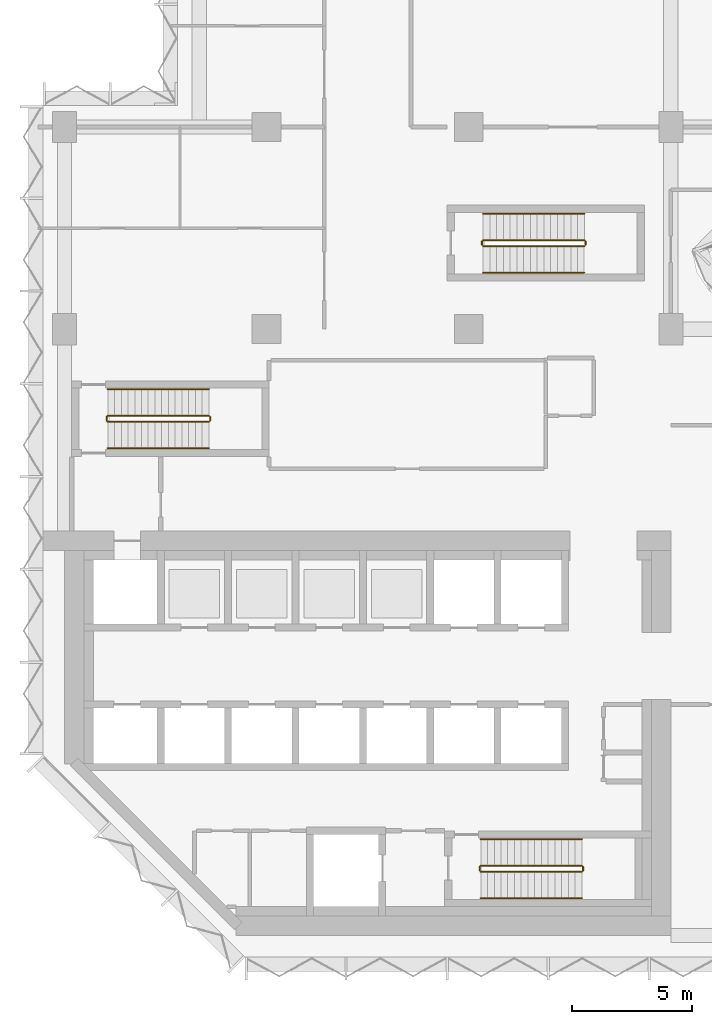
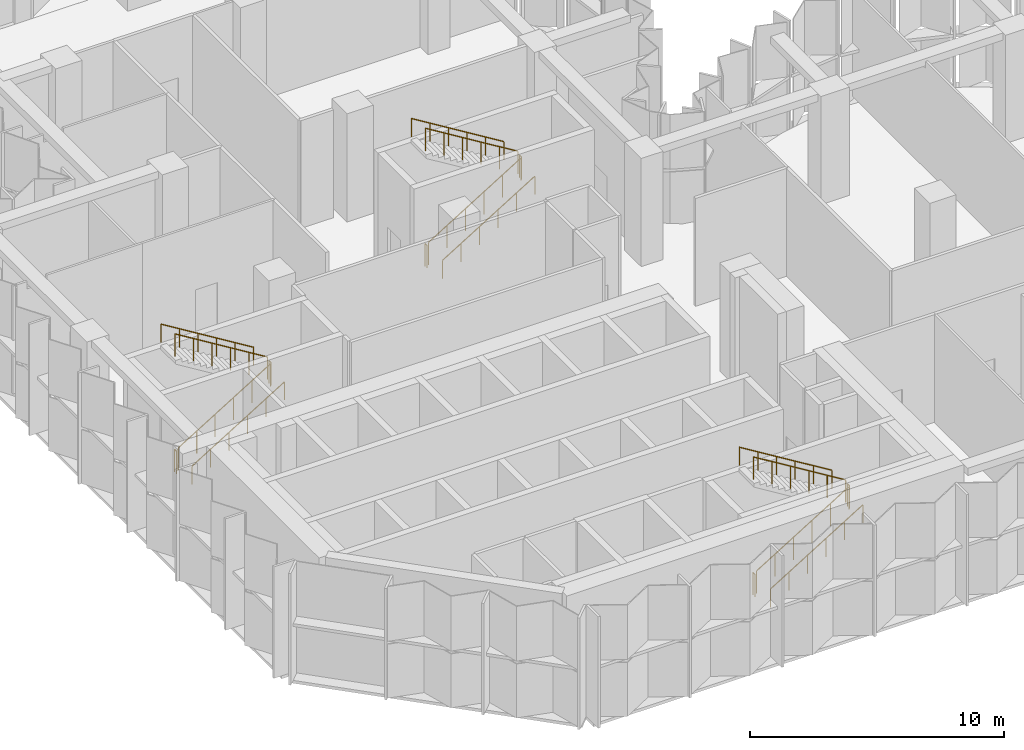
# One storey, part 12 of 15: 18 railings.
"""IFC4 building model written with IfcOpenShell, lengths in metres."""

from ifc_helpers import new_model, si_unit, direction, frame, origin, origin_2d, place, context, subcontext, project, spatial, circle, extrude, material, type_object, element, save


model = new_model("IFC4")

# Units and contexts
model_context = context("Model", 3, precision=1e-05, world=origin(), true_north=direction((0.0, 1.0)))
body_context = subcontext(model_context, "Body", "Model", "MODEL_VIEW")
ifc_project = project(units=[si_unit("LENGTHUNIT", "METRE"), si_unit("AREAUNIT", "SQUARE_METRE"), si_unit("VOLUMEUNIT", "CUBIC_METRE"), si_unit("PLANEANGLEUNIT", "RADIAN"), si_unit("MASSUNIT", "GRAM", prefix="KILO")], contexts=[model_context])

# Site, building, storey
site_placement = place(None, origin())
site = spatial("IfcSite", under=ifc_project, at=site_placement, CompositionType="ELEMENT")
building_placement = place(site_placement, origin())
building = spatial("IfcBuilding", under=site, at=building_placement, Name="Brevane Broadcast Tower", CompositionType="ELEMENT")
storey_placement = place(building_placement, frame((0.0, 0.0, 156.5)))
storey = spatial("IfcBuildingStorey", under=building, at=storey_placement, Name="L39", CompositionType="ELEMENT", Elevation=156.5)

# Railings
ifc_material = material(Name="Steel S355", Category="steel")
railing_type_1 = type_object("IfcRailingType", Name="Exit stair guard", PredefinedType="GUARDRAIL", material=ifc_material)
railing_1_placement = place(storey_placement, frame((1.800048828125, 21.35009765625, 0.171875)))
element("IfcRailing", 1, at=railing_1_placement, inside=storey, type_object=railing_type_1, Name="L39 ST-1 stair guard 1", PredefinedType="GUARDRAIL", context=body_context, shape_type="SweptSolid", body=[
    extrude(circle(Radius=0.02392578125, at=origin_2d()), frame((0.0, 0.0, 1.076171875), z_axis=(0.852242915053, 0.0, 0.523146264196), x_axis=(0.0, 1.0, 0.0)), (0.0, 0.0, 1.0), 4.92822265625),
    extrude(circle(Radius=0.02099609375, at=origin_2d()), origin(), (0.0, 0.0, 1.0), 1.052001953125),
    extrude(circle(Radius=0.02099609375, at=origin_2d()), frame((0.840087890625, 0.0, 0.515625)), (0.0, 0.0, 1.0), 1.052001953125),
    extrude(circle(Radius=0.02099609375, at=origin_2d()), frame((1.679931640625, 0.0, 1.03125)), (0.0, 0.0, 1.0), 1.052001953125),
    extrude(circle(Radius=0.02099609375, at=origin_2d()), frame((2.52001953125, 0.0, 1.546875)), (0.0, 0.0, 1.0), 1.052001953125),
    extrude(circle(Radius=0.02099609375, at=origin_2d()), frame((3.35986328125, 0.0, 2.0625)), (0.0, 0.0, 1.0), 1.052001953125),
    extrude(circle(Radius=0.02099609375, at=origin_2d()), frame((4.199951171875, 0.0, 2.578125)), (0.0, 0.0, 1.0), 1.052001953125),
])
railing_2_placement = place(storey_placement, frame((6.050048828125, 21.39990234375, 2.75)))
element("IfcRailing", 2, at=railing_2_placement, inside=storey, type_object=railing_type_1, Name="L39 ST-1 stair guard 2", PredefinedType="GUARDRAIL", context=body_context, shape_type="SweptSolid", body=[
    extrude(circle(Radius=0.02392578125, at=origin_2d()), frame((0.0, 0.0, 1.076171875), z_axis=(0.0, 1.0, 0.0), x_axis=(-1.0, 0.0, 0.0)), (0.0, 0.0, 1.0), 0.150146484375),
    extrude(circle(Radius=0.02099609375, at=origin_2d()), origin(), (0.0, 0.0, 1.0), 1.052001953125),
    extrude(circle(Radius=0.02099609375, at=origin_2d()), frame((0.0, 0.150146484375, 0.0)), (0.0, 0.0, 1.0), 1.052001953125),
])
railing_3_placement = place(storey_placement, frame((6.0, 21.60009765625, 2.921875)))
element("IfcRailing", 3, at=railing_3_placement, inside=storey, type_object=railing_type_1, Name="L39 ST-1 stair guard 3", PredefinedType="GUARDRAIL", context=body_context, shape_type="SweptSolid", body=[
    extrude(circle(Radius=0.02392578125, at=origin_2d()), frame((0.0, 0.0, 1.076171875), z_axis=(-0.852242915053, 0.0, 0.523146264196), x_axis=(0.0, -1.0, 0.0)), (0.0, 0.0, 1.0), 4.92822265625),
    extrude(circle(Radius=0.02099609375, at=origin_2d()), origin(), (0.0, 0.0, 1.0), 1.052001953125),
    extrude(circle(Radius=0.02099609375, at=origin_2d()), frame((-0.840087890625, 0.0, 0.515625)), (0.0, 0.0, 1.0), 1.052001953125),
    extrude(circle(Radius=0.02099609375, at=origin_2d()), frame((-1.679931640625, 0.0, 1.03125)), (0.0, 0.0, 1.0), 1.052001953125),
    extrude(circle(Radius=0.02099609375, at=origin_2d()), frame((-2.52001953125, 0.0, 1.546875)), (0.0, 0.0, 1.0), 1.052001953125),
    extrude(circle(Radius=0.02099609375, at=origin_2d()), frame((-3.35986328125, 0.0, 2.0625)), (0.0, 0.0, 1.0), 1.052001953125),
    extrude(circle(Radius=0.02099609375, at=origin_2d()), frame((-4.199951171875, 0.0, 2.578125)), (0.0, 0.0, 1.0), 1.052001953125),
])
railing_4_placement = place(storey_placement, frame((1.75, 21.39990234375, 0.0)))
element("IfcRailing", 4, at=railing_4_placement, inside=storey, type_object=railing_type_1, Name="L39 ST-1 stair guard 4", PredefinedType="GUARDRAIL", context=body_context, shape_type="SweptSolid", body=[
    extrude(circle(Radius=0.02392578125, at=origin_2d()), frame((0.0, 0.0, 1.076171875), z_axis=(0.0, 1.0, 0.0), x_axis=(-1.0, 0.0, 0.0)), (0.0, 0.0, 1.0), 0.150146484375),
    extrude(circle(Radius=0.02099609375, at=origin_2d()), origin(), (0.0, 0.0, 1.0), 1.052001953125),
    extrude(circle(Radius=0.02099609375, at=origin_2d()), frame((0.0, 0.150146484375, 0.0)), (0.0, 0.0, 1.0), 1.052001953125),
])
railing_5_placement = place(storey_placement, frame((17.300048828125, 2.64990234375, 0.171875)))
element("IfcRailing", 5, at=railing_5_placement, inside=storey, type_object=railing_type_1, Name="L39 ST-2 stair guard 1", PredefinedType="GUARDRAIL", context=body_context, shape_type="SweptSolid", body=[
    extrude(circle(Radius=0.02392578125, at=origin_2d()), frame((0.0, 0.0, 1.076171875), z_axis=(0.852242915053, 0.0, 0.523146264196), x_axis=(0.0, 1.0, 0.0)), (0.0, 0.0, 1.0), 4.92822265625),
    extrude(circle(Radius=0.02099609375, at=origin_2d()), origin(), (0.0, 0.0, 1.0), 1.052001953125),
    extrude(circle(Radius=0.02099609375, at=origin_2d()), frame((0.840087890625, 0.0, 0.515625)), (0.0, 0.0, 1.0), 1.052001953125),
    extrude(circle(Radius=0.02099609375, at=origin_2d()), frame((1.679931640625, 0.0, 1.03125)), (0.0, 0.0, 1.0), 1.052001953125),
    extrude(circle(Radius=0.02099609375, at=origin_2d()), frame((2.52001953125, 0.0, 1.546875)), (0.0, 0.0, 1.0), 1.052001953125),
    extrude(circle(Radius=0.02099609375, at=origin_2d()), frame((3.35986328125, 0.0, 2.0625)), (0.0, 0.0, 1.0), 1.052001953125),
    extrude(circle(Radius=0.02099609375, at=origin_2d()), frame((4.199951171875, 0.0, 2.578125)), (0.0, 0.0, 1.0), 1.052001953125),
])
railing_6_placement = place(storey_placement, frame((21.550048828125, 2.699951171875, 2.75)))
element("IfcRailing", 6, at=railing_6_placement, inside=storey, type_object=railing_type_1, Name="L39 ST-2 stair guard 2", PredefinedType="GUARDRAIL", context=body_context, shape_type="SweptSolid", body=[
    extrude(circle(Radius=0.02392578125, at=origin_2d()), frame((0.0, 0.0, 1.076171875), z_axis=(0.0, 1.0, 0.0), x_axis=(-1.0, 0.0, 0.0)), (0.0, 0.0, 1.0), 0.150146484375),
    extrude(circle(Radius=0.02099609375, at=origin_2d()), origin(), (0.0, 0.0, 1.0), 1.052001953125),
    extrude(circle(Radius=0.02099609375, at=origin_2d()), frame((0.0, 0.150146484375, 0.0)), (0.0, 0.0, 1.0), 1.052001953125),
])
railing_7_placement = place(storey_placement, frame((21.5, 2.89990234375, 2.921875)))
element("IfcRailing", 7, at=railing_7_placement, inside=storey, type_object=railing_type_1, Name="L39 ST-2 stair guard 3", PredefinedType="GUARDRAIL", context=body_context, shape_type="SweptSolid", body=[
    extrude(circle(Radius=0.02392578125, at=origin_2d()), frame((0.0, 0.0, 1.076171875), z_axis=(-0.852242915053, 0.0, 0.523146264196), x_axis=(0.0, -1.0, 0.0)), (0.0, 0.0, 1.0), 4.92822265625),
    extrude(circle(Radius=0.02099609375, at=origin_2d()), origin(), (0.0, 0.0, 1.0), 1.052001953125),
    extrude(circle(Radius=0.02099609375, at=origin_2d()), frame((-0.840087890625, 0.0, 0.515625)), (0.0, 0.0, 1.0), 1.052001953125),
    extrude(circle(Radius=0.02099609375, at=origin_2d()), frame((-1.679931640625, 0.0, 1.03125)), (0.0, 0.0, 1.0), 1.052001953125),
    extrude(circle(Radius=0.02099609375, at=origin_2d()), frame((-2.52001953125, 0.0, 1.546875)), (0.0, 0.0, 1.0), 1.052001953125),
    extrude(circle(Radius=0.02099609375, at=origin_2d()), frame((-3.35986328125, 0.0, 2.0625)), (0.0, 0.0, 1.0), 1.052001953125),
    extrude(circle(Radius=0.02099609375, at=origin_2d()), frame((-4.199951171875, 0.0, 2.578125)), (0.0, 0.0, 1.0), 1.052001953125),
])
railing_8_placement = place(storey_placement, frame((17.25, 2.699951171875, 0.0)))
element("IfcRailing", 8, at=railing_8_placement, inside=storey, type_object=railing_type_1, Name="L39 ST-2 stair guard 4", PredefinedType="GUARDRAIL", context=body_context, shape_type="SweptSolid", body=[
    extrude(circle(Radius=0.02392578125, at=origin_2d()), frame((0.0, 0.0, 1.076171875), z_axis=(0.0, 1.0, 0.0), x_axis=(-1.0, 0.0, 0.0)), (0.0, 0.0, 1.0), 0.150146484375),
    extrude(circle(Radius=0.02099609375, at=origin_2d()), origin(), (0.0, 0.0, 1.0), 1.052001953125),
    extrude(circle(Radius=0.02099609375, at=origin_2d()), frame((0.0, 0.150146484375, 0.0)), (0.0, 0.0, 1.0), 1.052001953125),
])
railing_9_placement = place(storey_placement, frame((17.39990234375, 28.64990234375, 0.171875)))
element("IfcRailing", 9, at=railing_9_placement, inside=storey, type_object=railing_type_1, Name="L39 ST-3 stair guard 1", PredefinedType="GUARDRAIL", context=body_context, shape_type="SweptSolid", body=[
    extrude(circle(Radius=0.02392578125, at=origin_2d()), frame((0.0, 0.0, 1.076171875), z_axis=(0.852256472501, 0.0, 0.523124177495), x_axis=(0.0, 1.0, 0.0)), (0.0, 0.0, 1.0), 4.92822265625),
    extrude(circle(Radius=0.02099609375, at=origin_2d()), origin(), (0.0, 0.0, 1.0), 1.052001953125),
    extrude(circle(Radius=0.02099609375, at=origin_2d()), frame((0.840087890625, 0.0, 0.515625)), (0.0, 0.0, 1.0), 1.052001953125),
    extrude(circle(Radius=0.02099609375, at=origin_2d()), frame((1.68017578125, 0.0, 1.03125)), (0.0, 0.0, 1.0), 1.052001953125),
    extrude(circle(Radius=0.02099609375, at=origin_2d()), frame((2.52001953125, 0.0, 1.546875)), (0.0, 0.0, 1.0), 1.052001953125),
    extrude(circle(Radius=0.02099609375, at=origin_2d()), frame((3.360107421875, 0.0, 2.0625)), (0.0, 0.0, 1.0), 1.052001953125),
    extrude(circle(Radius=0.02099609375, at=origin_2d()), frame((4.2001953125, 0.0, 2.578125)), (0.0, 0.0, 1.0), 1.052001953125),
])
railing_10_placement = place(storey_placement, frame((21.64990234375, 28.699951171875, 2.75)))
element("IfcRailing", 10, at=railing_10_placement, inside=storey, type_object=railing_type_1, Name="L39 ST-3 stair guard 2", PredefinedType="GUARDRAIL", context=body_context, shape_type="SweptSolid", body=[
    extrude(circle(Radius=0.02392578125, at=origin_2d()), frame((0.0, 0.0, 1.076171875), z_axis=(0.0, 1.0, 0.0), x_axis=(-1.0, 0.0, 0.0)), (0.0, 0.0, 1.0), 0.150146484375),
    extrude(circle(Radius=0.02099609375, at=origin_2d()), origin(), (0.0, 0.0, 1.0), 1.052001953125),
    extrude(circle(Radius=0.02099609375, at=origin_2d()), frame((0.0, 0.150146484375, 0.0)), (0.0, 0.0, 1.0), 1.052001953125),
])
railing_11_placement = place(storey_placement, frame((21.60009765625, 28.89990234375, 2.921875)))
element("IfcRailing", 11, at=railing_11_placement, inside=storey, type_object=railing_type_1, Name="L39 ST-3 stair guard 3", PredefinedType="GUARDRAIL", context=body_context, shape_type="SweptSolid", body=[
    extrude(circle(Radius=0.02392578125, at=origin_2d()), frame((0.0, 0.0, 1.076171875), z_axis=(-0.852256472501, 0.0, 0.523124177495), x_axis=(0.0, -1.0, 0.0)), (0.0, 0.0, 1.0), 4.92822265625),
    extrude(circle(Radius=0.02099609375, at=origin_2d()), origin(), (0.0, 0.0, 1.0), 1.052001953125),
    extrude(circle(Radius=0.02099609375, at=origin_2d()), frame((-0.840087890625, 0.0, 0.515625)), (0.0, 0.0, 1.0), 1.052001953125),
    extrude(circle(Radius=0.02099609375, at=origin_2d()), frame((-1.68017578125, 0.0, 1.03125)), (0.0, 0.0, 1.0), 1.052001953125),
    extrude(circle(Radius=0.02099609375, at=origin_2d()), frame((-2.52001953125, 0.0, 1.546875)), (0.0, 0.0, 1.0), 1.052001953125),
    extrude(circle(Radius=0.02099609375, at=origin_2d()), frame((-3.360107421875, 0.0, 2.0625)), (0.0, 0.0, 1.0), 1.052001953125),
    extrude(circle(Radius=0.02099609375, at=origin_2d()), frame((-4.2001953125, 0.0, 2.578125)), (0.0, 0.0, 1.0), 1.052001953125),
])
railing_12_placement = place(storey_placement, frame((17.35009765625, 28.699951171875, 0.0)))
element("IfcRailing", 12, at=railing_12_placement, inside=storey, type_object=railing_type_1, Name="L39 ST-3 stair guard 4", PredefinedType="GUARDRAIL", context=body_context, shape_type="SweptSolid", body=[
    extrude(circle(Radius=0.02392578125, at=origin_2d()), frame((0.0, 0.0, 1.076171875), z_axis=(0.0, 1.0, 0.0), x_axis=(-1.0, 0.0, 0.0)), (0.0, 0.0, 1.0), 0.150146484375),
    extrude(circle(Radius=0.02099609375, at=origin_2d()), origin(), (0.0, 0.0, 1.0), 1.052001953125),
    extrude(circle(Radius=0.02099609375, at=origin_2d()), frame((0.0, 0.150146484375, 0.0)), (0.0, 0.0, 1.0), 1.052001953125),
])
railing_type_2 = type_object("IfcRailingType", Name="Exit stair handrail", PredefinedType="HANDRAIL", material=ifc_material)
railing_13_placement = place(storey_placement, frame((1.800048828125, 20.25, 0.171875)))
element("IfcRailing", 13, at=railing_13_placement, inside=storey, type_object=railing_type_2, Name="L39 ST-1 stair handrail 1", PredefinedType="HANDRAIL", context=body_context, shape_type="SweptSolid", body=[
    extrude(circle(Radius=0.02392578125, at=origin_2d()), frame((0.0, 0.0, 0.8759765625), z_axis=(0.852242915053, 0.0, 0.523146264196), x_axis=(0.0, 1.0, 0.0)), (0.0, 0.0, 1.0), 4.92822265625),
    extrude(circle(Radius=0.02099609375, at=origin_2d()), origin(), (0.0, 0.0, 1.0), 0.851806640625),
    extrude(circle(Radius=0.02099609375, at=origin_2d()), frame((0.840087890625, 0.0, 0.515625)), (0.0, 0.0, 1.0), 0.851806640625),
    extrude(circle(Radius=0.02099609375, at=origin_2d()), frame((1.679931640625, 0.0, 1.03125)), (0.0, 0.0, 1.0), 0.851806640625),
    extrude(circle(Radius=0.02099609375, at=origin_2d()), frame((2.52001953125, 0.0, 1.546875)), (0.0, 0.0, 1.0), 0.851806640625),
    extrude(circle(Radius=0.02099609375, at=origin_2d()), frame((3.35986328125, 0.0, 2.0625)), (0.0, 0.0, 1.0), 0.851806640625),
    extrude(circle(Radius=0.02099609375, at=origin_2d()), frame((4.199951171875, 0.0, 2.578125)), (0.0, 0.0, 1.0), 0.851806640625),
])
railing_14_placement = place(storey_placement, frame((6.0, 22.699951171875, 2.921875)))
element("IfcRailing", 14, at=railing_14_placement, inside=storey, type_object=railing_type_2, Name="L39 ST-1 stair handrail 2", PredefinedType="HANDRAIL", context=body_context, shape_type="SweptSolid", body=[
    extrude(circle(Radius=0.02392578125, at=origin_2d()), frame((0.0, 0.0, 0.8759765625), z_axis=(-0.852242915053, 0.0, 0.523146264196), x_axis=(0.0, -1.0, 0.0)), (0.0, 0.0, 1.0), 4.92822265625),
    extrude(circle(Radius=0.02099609375, at=origin_2d()), origin(), (0.0, 0.0, 1.0), 0.851806640625),
    extrude(circle(Radius=0.02099609375, at=origin_2d()), frame((-0.840087890625, 0.0, 0.515625)), (0.0, 0.0, 1.0), 0.851806640625),
    extrude(circle(Radius=0.02099609375, at=origin_2d()), frame((-1.679931640625, 0.0, 1.03125)), (0.0, 0.0, 1.0), 0.851806640625),
    extrude(circle(Radius=0.02099609375, at=origin_2d()), frame((-2.52001953125, 0.0, 1.546875)), (0.0, 0.0, 1.0), 0.851806640625),
    extrude(circle(Radius=0.02099609375, at=origin_2d()), frame((-3.35986328125, 0.0, 2.0625)), (0.0, 0.0, 1.0), 0.851806640625),
    extrude(circle(Radius=0.02099609375, at=origin_2d()), frame((-4.199951171875, 0.0, 2.578125)), (0.0, 0.0, 1.0), 0.851806640625),
])
railing_15_placement = place(storey_placement, frame((17.300048828125, 1.550048828125, 0.171875)))
element("IfcRailing", 15, at=railing_15_placement, inside=storey, type_object=railing_type_2, Name="L39 ST-2 stair handrail 1", PredefinedType="HANDRAIL", context=body_context, shape_type="SweptSolid", body=[
    extrude(circle(Radius=0.02392578125, at=origin_2d()), frame((0.0, 0.0, 0.8759765625), z_axis=(0.852242915053, 0.0, 0.523146264196), x_axis=(0.0, 1.0, 0.0)), (0.0, 0.0, 1.0), 4.92822265625),
    extrude(circle(Radius=0.02099609375, at=origin_2d()), origin(), (0.0, 0.0, 1.0), 0.851806640625),
    extrude(circle(Radius=0.02099609375, at=origin_2d()), frame((0.840087890625, 0.0, 0.515625)), (0.0, 0.0, 1.0), 0.851806640625),
    extrude(circle(Radius=0.02099609375, at=origin_2d()), frame((1.679931640625, 0.0, 1.03125)), (0.0, 0.0, 1.0), 0.851806640625),
    extrude(circle(Radius=0.02099609375, at=origin_2d()), frame((2.52001953125, 0.0, 1.546875)), (0.0, 0.0, 1.0), 0.851806640625),
    extrude(circle(Radius=0.02099609375, at=origin_2d()), frame((3.35986328125, 0.0, 2.0625)), (0.0, 0.0, 1.0), 0.851806640625),
    extrude(circle(Radius=0.02099609375, at=origin_2d()), frame((4.199951171875, 0.0, 2.578125)), (0.0, 0.0, 1.0), 0.851806640625),
])
railing_16_placement = place(storey_placement, frame((21.5, 4.0, 2.921875)))
element("IfcRailing", 16, at=railing_16_placement, inside=storey, type_object=railing_type_2, Name="L39 ST-2 stair handrail 2", PredefinedType="HANDRAIL", context=body_context, shape_type="SweptSolid", body=[
    extrude(circle(Radius=0.02392578125, at=origin_2d()), frame((0.0, 0.0, 0.8759765625), z_axis=(-0.852242915053, 0.0, 0.523146264196), x_axis=(0.0, -1.0, 0.0)), (0.0, 0.0, 1.0), 4.92822265625),
    extrude(circle(Radius=0.02099609375, at=origin_2d()), origin(), (0.0, 0.0, 1.0), 0.851806640625),
    extrude(circle(Radius=0.02099609375, at=origin_2d()), frame((-0.840087890625, 0.0, 0.515625)), (0.0, 0.0, 1.0), 0.851806640625),
    extrude(circle(Radius=0.02099609375, at=origin_2d()), frame((-1.679931640625, 0.0, 1.03125)), (0.0, 0.0, 1.0), 0.851806640625),
    extrude(circle(Radius=0.02099609375, at=origin_2d()), frame((-2.52001953125, 0.0, 1.546875)), (0.0, 0.0, 1.0), 0.851806640625),
    extrude(circle(Radius=0.02099609375, at=origin_2d()), frame((-3.35986328125, 0.0, 2.0625)), (0.0, 0.0, 1.0), 0.851806640625),
    extrude(circle(Radius=0.02099609375, at=origin_2d()), frame((-4.199951171875, 0.0, 2.578125)), (0.0, 0.0, 1.0), 0.851806640625),
])
railing_17_placement = place(storey_placement, frame((17.39990234375, 27.550048828125, 0.171875)))
element("IfcRailing", 17, at=railing_17_placement, inside=storey, type_object=railing_type_2, Name="L39 ST-3 stair handrail 1", PredefinedType="HANDRAIL", context=body_context, shape_type="SweptSolid", body=[
    extrude(circle(Radius=0.02392578125, at=origin_2d()), frame((0.0, 0.0, 0.8759765625), z_axis=(0.852256472501, 0.0, 0.523124177495), x_axis=(0.0, 1.0, 0.0)), (0.0, 0.0, 1.0), 4.92822265625),
    extrude(circle(Radius=0.02099609375, at=origin_2d()), origin(), (0.0, 0.0, 1.0), 0.851806640625),
    extrude(circle(Radius=0.02099609375, at=origin_2d()), frame((0.840087890625, 0.0, 0.515625)), (0.0, 0.0, 1.0), 0.851806640625),
    extrude(circle(Radius=0.02099609375, at=origin_2d()), frame((1.68017578125, 0.0, 1.03125)), (0.0, 0.0, 1.0), 0.851806640625),
    extrude(circle(Radius=0.02099609375, at=origin_2d()), frame((2.52001953125, 0.0, 1.546875)), (0.0, 0.0, 1.0), 0.851806640625),
    extrude(circle(Radius=0.02099609375, at=origin_2d()), frame((3.360107421875, 0.0, 2.0625)), (0.0, 0.0, 1.0), 0.851806640625),
    extrude(circle(Radius=0.02099609375, at=origin_2d()), frame((4.2001953125, 0.0, 2.578125)), (0.0, 0.0, 1.0), 0.851806640625),
])
railing_18_placement = place(storey_placement, frame((21.60009765625, 30.0, 2.921875)))
element("IfcRailing", 18, at=railing_18_placement, inside=storey, type_object=railing_type_2, Name="L39 ST-3 stair handrail 2", PredefinedType="HANDRAIL", context=body_context, shape_type="SweptSolid", body=[
    extrude(circle(Radius=0.02392578125, at=origin_2d()), frame((0.0, 0.0, 0.8759765625), z_axis=(-0.852256472501, 0.0, 0.523124177495), x_axis=(0.0, -1.0, 0.0)), (0.0, 0.0, 1.0), 4.92822265625),
    extrude(circle(Radius=0.02099609375, at=origin_2d()), origin(), (0.0, 0.0, 1.0), 0.851806640625),
    extrude(circle(Radius=0.02099609375, at=origin_2d()), frame((-0.840087890625, 0.0, 0.515625)), (0.0, 0.0, 1.0), 0.851806640625),
    extrude(circle(Radius=0.02099609375, at=origin_2d()), frame((-1.68017578125, 0.0, 1.03125)), (0.0, 0.0, 1.0), 0.851806640625),
    extrude(circle(Radius=0.02099609375, at=origin_2d()), frame((-2.52001953125, 0.0, 1.546875)), (0.0, 0.0, 1.0), 0.851806640625),
    extrude(circle(Radius=0.02099609375, at=origin_2d()), frame((-3.360107421875, 0.0, 2.0625)), (0.0, 0.0, 1.0), 0.851806640625),
    extrude(circle(Radius=0.02099609375, at=origin_2d()), frame((-4.2001953125, 0.0, 2.578125)), (0.0, 0.0, 1.0), 0.851806640625),
])

save(model, "model.ifc")
